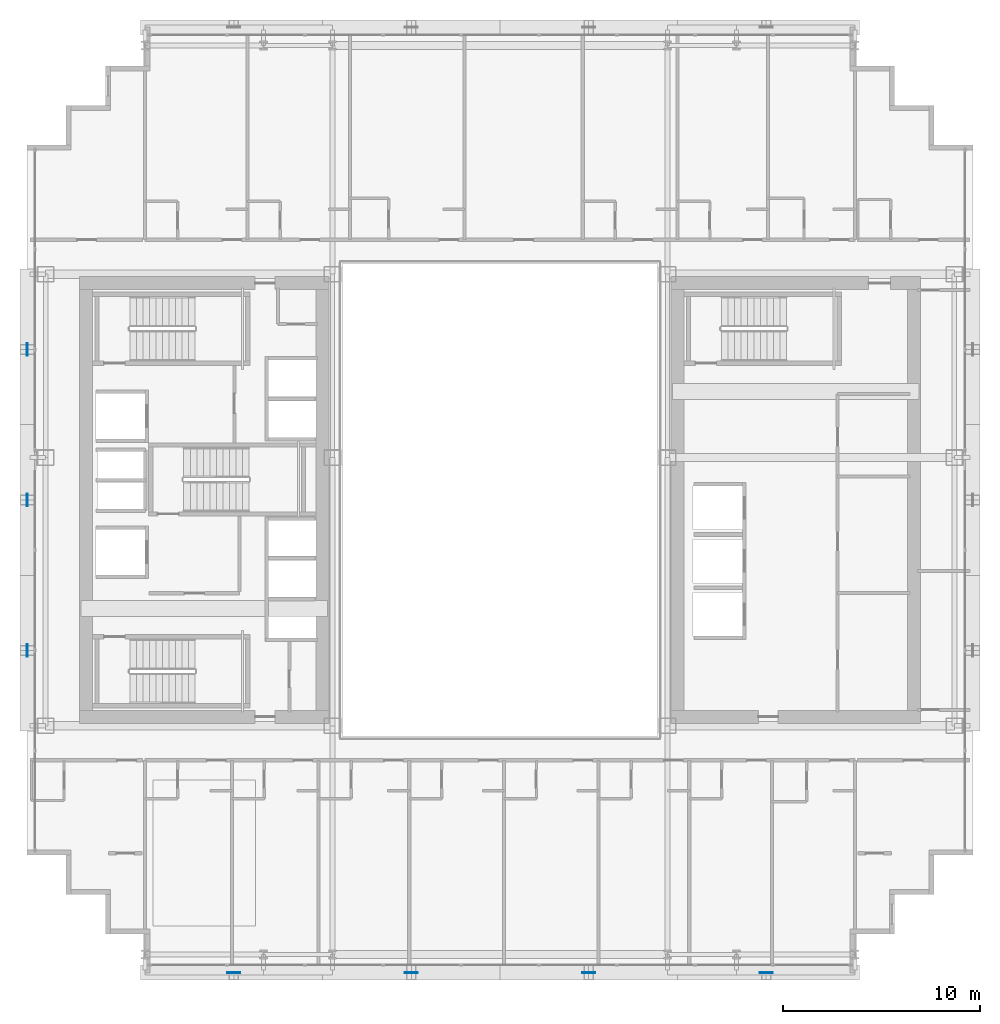
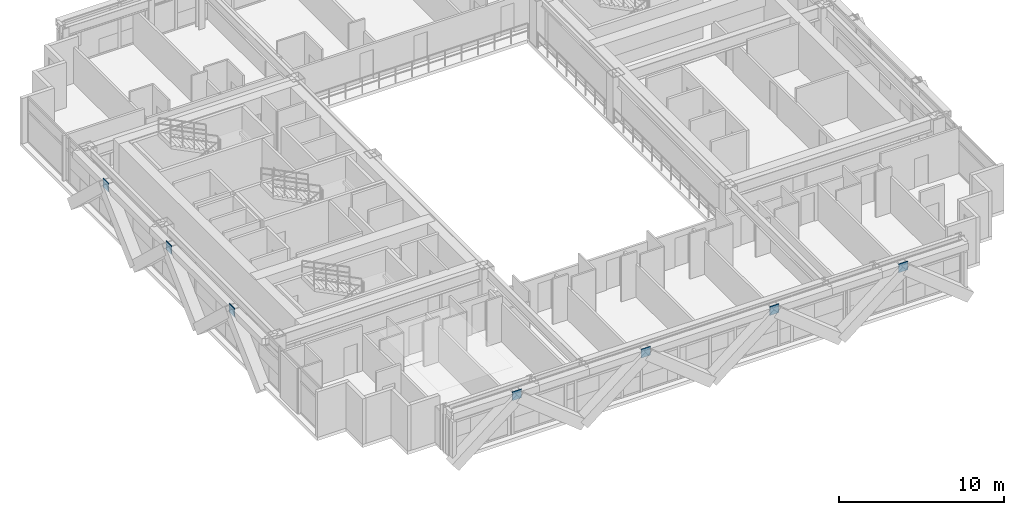
# One storey, part 25 of 36: 7 plates.
"""IFC4 building model written with IfcOpenShell, lengths in metres."""

from ifc_helpers import new_model, si_unit, direction, frame, origin, origin_2d, place, context, subcontext, project, spatial, rectangle, extrude, source, transform, mapped, material, layer, layer_set, type_object, element, save


model = new_model("IFC4")

# Units and contexts
model_context = context("Model", 3, precision=1e-05, world=origin(), true_north=direction((0.0, 1.0)))
body_context = subcontext(model_context, "Body", "Model", "MODEL_VIEW")
ifc_project = project(units=[si_unit("LENGTHUNIT", "METRE"), si_unit("AREAUNIT", "SQUARE_METRE"), si_unit("VOLUMEUNIT", "CUBIC_METRE"), si_unit("PLANEANGLEUNIT", "RADIAN"), si_unit("MASSUNIT", "GRAM", prefix="KILO")], contexts=[model_context])

# Site, building, storey
site_placement = place(None, origin())
site = spatial("IfcSite", under=ifc_project, at=site_placement, CompositionType="ELEMENT")
building_placement = place(site_placement, origin())
building = spatial("IfcBuilding", under=site, at=building_placement, Name="Ocotamira Hotel", CompositionType="ELEMENT")
storey_placement = place(building_placement, frame((0.0, 0.0, 97.199951171875)))
storey = spatial("IfcBuildingStorey", under=building, at=storey_placement, Name="L23", CompositionType="ELEMENT", Elevation=97.199951171875)

# Plates
ifc_material = material(Name="Pale-metal coated steel ASTM A572 Grade 50", Category="steel")
ifc_layer = layer(ifc_material, 0.0400390625)
ifc_layer_set = layer_set([ifc_layer], Name="Pale-metal coated steel ASTM A572 Grade 50")
plate_type = type_object("IfcPlateType", Name="PLT-GUSSET-40", PredefinedType="SHEET", material=ifc_layer_set)
shared_shape_1 = source(origin(), body_context, "Body", "SweptSolid", [
    extrude(rectangle(XDim=0.64990234375, YDim=0.0400390625, at=origin_2d()), origin(), (0.0, 0.0, 1.0), 0.64990234375),
])
for number, where, z_axis, x_axis, name in (
    (1, (18.5, 2.030029296875, 2.78515625), (0.0, 0.0, 1.0), (1.0, 0.0, 0.0), "L23 Exoskeleton Diagrid S0.1 End Gusset B"),
    (2, (27.5, 2.030029296875, 2.78515625), (0.0, 0.0, 1.0), (1.0, 0.0, 0.0), "L23 Exoskeleton Diagrid S1.1 End Gusset B"),
    (3, (36.5, 2.030029296875, 2.78515625), (0.0, 0.0, 1.0), (1.0, 0.0, 0.0), "L23 Exoskeleton Diagrid S2.1 End Gusset B"),
    (4, (45.5, 2.030029296875, 2.78515625), (0.0, 0.0, 1.0), (1.0, 0.0, 0.0), "L23 Exoskeleton Diagrid S3.1 End Gusset B"),
):
    element("IfcPlate", number, at=place(storey_placement, frame(where, z_axis=z_axis, x_axis=x_axis)), inside=storey, type_object=plate_type, Name=name, PredefinedType="SHEET", context=body_context, shape_type="MappedRepresentation", body=[
        mapped(shared_shape_1, transform((0.0, 0.0, 0.0), scale=1.0)),
    ])
shared_shape_2 = source(origin(), body_context, "Body", "SweptSolid", [
    extrude(rectangle(XDim=0.0400390625, YDim=0.64990234375, at=origin_2d()), origin(), (0.0, 0.0, 1.0), 0.64990234375),
])
for number, where, z_axis, x_axis, name in (
    (5, (8.030029296875, 18.36669921875, 2.78515625), (0.0, 0.0, 1.0), (1.0, 0.0, 0.0), "L23 Exoskeleton Diagrid W0.1 End Gusset B"),
    (6, (8.030029296875, 26.0, 2.78515625), (0.0, 0.0, 1.0), (1.0, 0.0, 0.0), "L23 Exoskeleton Diagrid W1.1 End Gusset B"),
    (7, (8.030029296875, 33.63330078125, 2.78515625), (0.0, 0.0, 1.0), (1.0, 0.0, 0.0), "L23 Exoskeleton Diagrid W2.1 End Gusset B"),
):
    element("IfcPlate", number, at=place(storey_placement, frame(where, z_axis=z_axis, x_axis=x_axis)), inside=storey, type_object=plate_type, Name=name, PredefinedType="SHEET", context=body_context, shape_type="MappedRepresentation", body=[
        mapped(shared_shape_2, transform((0.0, 0.0, 0.0), scale=1.0)),
    ])

save(model, "model.ifc")
